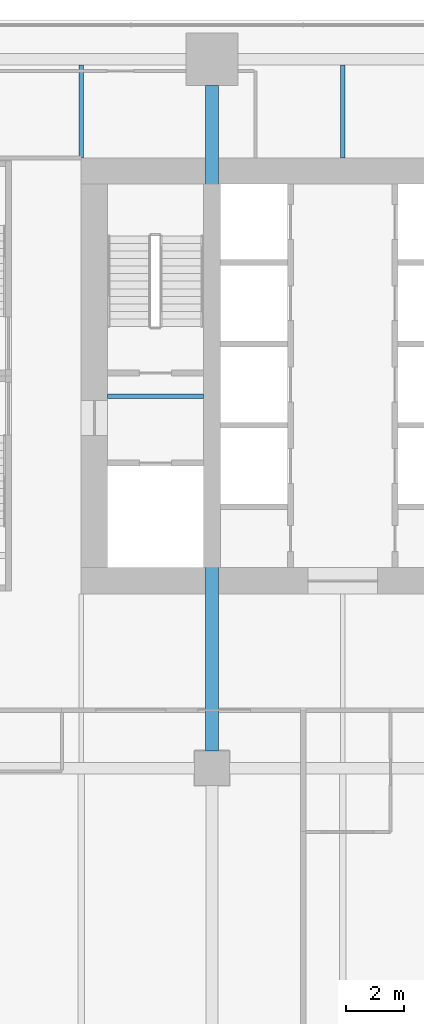
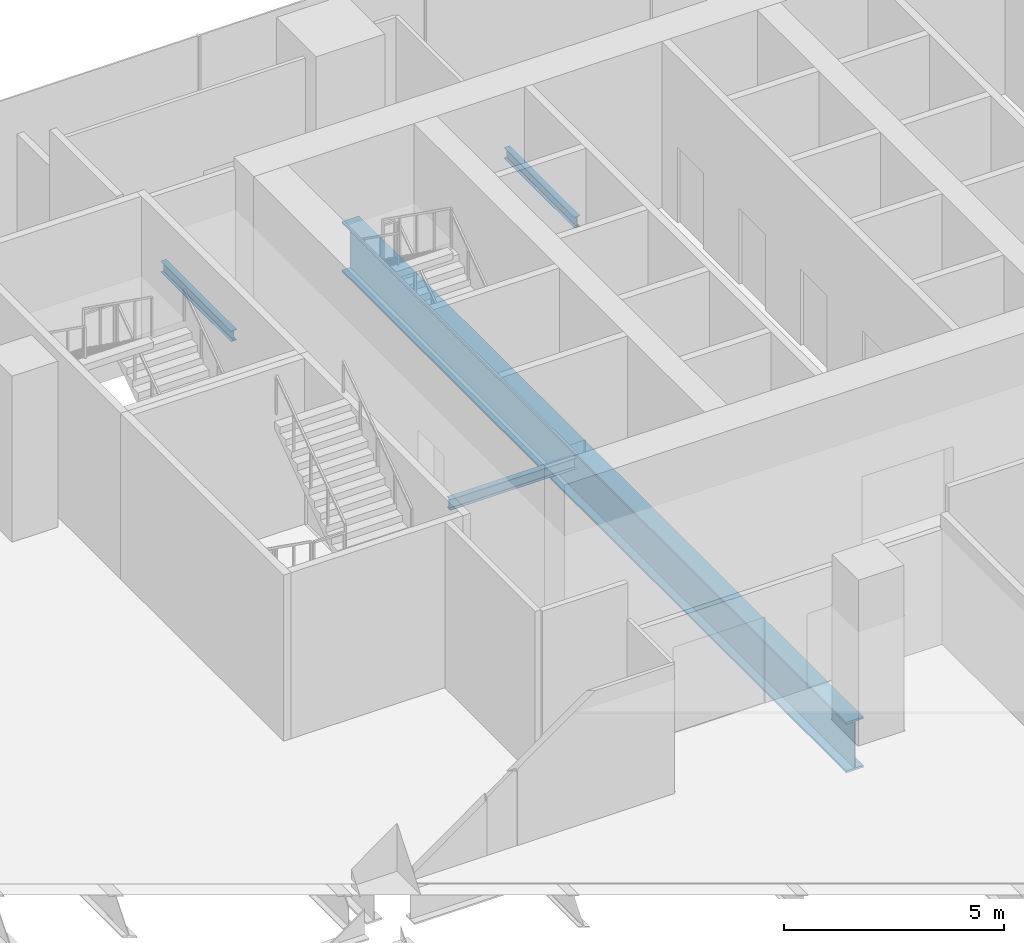
# One storey, part 10 of 28: 4 beams.
"""IFC4 building model written with IfcOpenShell, lengths in metres."""

import ifcopenshell
import ifcopenshell.guid

model = None  # the IFC model being written
_history = None  # IfcOwnerHistory: only IFC2X3 demands one
_inside = {}  # id of a spatial element -> (the spatial element, [elements in it])
_under = {}  # id of a project, library or spatial element -> (it, [spatial elements below it])
_declared = {}  # id of a project -> (the project, [libraries it declares])
_typed = {}  # id of a type object -> (the type object, [elements of that type])
_made_of = {}  # id of a material, layer set ... -> (it, [elements and type objects made of it])


def new_model(schema):
    """Start an empty IFC model of exactly this schema.

    Asked for "IFC4X3", IfcOpenShell would pick the latest addendum, in which some entities
    have other attributes; the version numbers below select the first issue.
    IFC2X3 requires an IfcOwnerHistory on every rooted entity: one is made here for all.
    """
    global model, _history
    if schema == "IFC4X3":
        model = ifcopenshell.file(schema_version=(4, 3, 0, 0))
    else:
        model = ifcopenshell.file(schema=schema)
    _inside.clear()
    _under.clear()
    _declared.clear()
    _typed.clear()
    _made_of.clear()
    _history = None
    if model.schema == "IFC2X3":
        org = make("IfcOrganization", Name="unknown")
        user = make(
            "IfcPersonAndOrganization",
            ThePerson=make("IfcPerson", FamilyName="unknown"),
            TheOrganization=org,
        )
        app = make(
            "IfcApplication",
            ApplicationDeveloper=org,
            Version="unknown",
            ApplicationFullName="unknown",
            ApplicationIdentifier="unknown",
        )
        _history = make(
            "IfcOwnerHistory",
            OwningUser=user,
            OwningApplication=app,
            ChangeAction="ADDED",
            CreationDate=0,
        )
    return model


def make(cls, **values):
    """One entity of the class cls with the attributes given. An attribute that is None is left unset."""
    return model.create_entity(
        cls, **{name: value for name, value in values.items() if value is not None}
    )


def rooted(cls, **values):
    """An entity with a GlobalId (a new one), such as an element, a storey or a relation."""
    return make(cls, GlobalId=ifcopenshell.guid.new(), OwnerHistory=_history, **values)


def si_unit(unit_type, name, prefix=None):
    """IfcSIUnit, for example si_unit("LENGTHUNIT", "METRE", prefix="MILLI")."""
    return make("IfcSIUnit", UnitType=unit_type, Prefix=prefix, Name=name)


def assignment(units):
    """IfcUnitAssignment: the units of a project."""
    return None if units is None else make("IfcUnitAssignment", Units=units)


def point(xyz):
    """IfcCartesianPoint."""
    return None if xyz is None else make("IfcCartesianPoint", Coordinates=xyz)


def direction(xyz):
    """IfcDirection."""
    return None if xyz is None else make("IfcDirection", DirectionRatios=xyz)


def frame(location, z_axis=None, x_axis=None):
    """IfcAxis2Placement3D, a coordinate frame: its origin and axes. An axis left out is left unset."""
    return make(
        "IfcAxis2Placement3D",
        Location=point(location),
        Axis=direction(z_axis),
        RefDirection=direction(x_axis),
    )


def frame_2d(location, x_axis=None):
    """IfcAxis2Placement2D, a coordinate frame in the plane: its origin and x axis."""
    return make(
        "IfcAxis2Placement2D", Location=point(location), RefDirection=direction(x_axis)
    )


def origin():
    """The frame at (0, 0, 0) with its axes left unset."""
    return frame((0.0, 0.0, 0.0))


def origin_2d():
    """The frame at (0, 0) in the plane with its x axis left unset."""
    return frame_2d((0.0, 0.0))


def place(relative_to, where):
    """IfcLocalPlacement: puts the frame where relative to a parent placement (None: the world)."""
    return make(
        "IfcLocalPlacement", PlacementRelTo=relative_to, RelativePlacement=where
    )


def context(
    kind, dimensions, precision=None, world=None, true_north=None, identifier=None
):
    """IfcGeometricRepresentationContext, for example the 3D "Model" context."""
    return make(
        "IfcGeometricRepresentationContext",
        ContextIdentifier=identifier,
        ContextType=kind,
        CoordinateSpaceDimension=dimensions,
        Precision=precision,
        WorldCoordinateSystem=world,
        TrueNorth=true_north,
    )


def subcontext(parent, identifier, kind, view, scale=None):
    """IfcGeometricRepresentationSubContext, for example "Body" below "Model"."""
    return make(
        "IfcGeometricRepresentationSubContext",
        ContextIdentifier=identifier,
        ContextType=kind,
        ParentContext=parent,
        TargetScale=scale,
        TargetView=view,
    )


def project(units=None, contexts=None):
    """IfcProject with its units and contexts."""
    return rooted(
        "IfcProject",
        Name="project",
        RepresentationContexts=contexts,
        UnitsInContext=assignment(units),
    )


def spatial(cls, under=None, at=None, **own):
    """A site, building, storey or space (cls), placed at a placement, below another one or the project."""
    s = rooted(cls, ObjectPlacement=at, **own)
    if under is not None:
        _under.setdefault(under.id(), (under, []))[1].append(s)
    return s


def profile(cls, at=None, kind="AREA", **sizes):
    """A parametric profile (cls). Its sizes go by their IFC names, for example OverallWidth=200.0."""
    return make(cls, ProfileType=kind, Position=at, **sizes)


def i_section(**sizes):
    """IfcIShapeProfileDef."""
    return profile("IfcIShapeProfileDef", **sizes)


def extrude(swept, where, along, depth):
    """IfcExtrudedAreaSolid: the profile swept, set in the frame where, extruded along a direction by depth."""
    return make(
        "IfcExtrudedAreaSolid",
        SweptArea=swept,
        Position=where,
        ExtrudedDirection=direction(along),
        Depth=depth,
    )


def shape(context_of_items, identifier, shape_type, items):
    """IfcShapeRepresentation: the items that make up one representation, for example the "Body"."""
    return make(
        "IfcShapeRepresentation",
        ContextOfItems=context_of_items,
        RepresentationIdentifier=identifier,
        RepresentationType=shape_type,
        Items=items,
    )


def material(Name=None, Category=None):
    """IfcMaterial."""
    return make("IfcMaterial", Name=Name, Category=Category)


def material_profile(
    of_material, cross_section, Name=None, Category=None, Priority=None
):
    """IfcMaterialProfile: a cross section and its material."""
    return make(
        "IfcMaterialProfile",
        Name=Name,
        Material=of_material,
        Profile=cross_section,
        Priority=Priority,
        Category=Category,
    )


def profile_set(profiles, Name=None, composite=None):
    """IfcMaterialProfileSet."""
    return make(
        "IfcMaterialProfileSet",
        Name=Name,
        MaterialProfiles=profiles,
        CompositeProfile=composite,
    )


def made_of(thing, what):
    """Note that an element or type object is made of a material, layer set ...; save() writes the relation."""
    if what is not None:
        _made_of.setdefault(what.id(), (what, []))[1].append(thing)
    return thing


def type_object(cls, material=None, **own):
    """A type object (cls), such as IfcWallType, which elements share."""
    return made_of(rooted(cls, **own), material)


def element(
    cls,
    number,
    at=None,
    inside=None,
    cuts=None,
    type_object=None,
    material=None,
    context=None,
    identifier="Body",
    shape_type=None,
    held_by="IfcProductDefinitionShape",
    body=None,
    shapes=None,
    **own,
):
    """One element of the class cls, such as IfcWall. Its Tag is "e" and its number.

    at: its placement. inside: the storey or other place that contains it. cuts: it is an
    opening in that element (IfcRelVoidsElement). A single representation is given by context,
    identifier, shape_type and body (its items); several are given by shapes. held_by: the class
    of the entity that holds the representations. save() writes the other relations.
    """
    e = rooted(cls, Tag="e%d" % number, ObjectPlacement=at, **own)
    if body is not None:
        shapes = [shape(context, identifier, shape_type, body)]
    if shapes is not None:
        e.Representation = make(held_by, Representations=shapes)
    if inside is not None:
        _inside.setdefault(inside.id(), (inside, []))[1].append(e)
    if cuts is not None:
        rooted(
            "IfcRelVoidsElement", RelatingBuildingElement=cuts, RelatedOpeningElement=e
        )
    if type_object is not None:
        _typed.setdefault(type_object.id(), (type_object, []))[1].append(e)
    return made_of(e, material)


def aggregate(whole, parts):
    """IfcRelAggregates: a whole, such as a stair, and the parts it consists of."""
    return rooted("IfcRelAggregates", RelatingObject=whole, RelatedObjects=parts)


def save(model, path):
    """Write the relations noted so far, then the file.

    IfcRelAggregates (storeys below a building ...), IfcRelContainedInSpatialStructure (elements
    in a storey), IfcRelDefinesByType, IfcRelAssociatesMaterial and IfcRelDeclares: one each for
    every whole, place, type object, material and project.
    """
    for whole, parts in _under.values():
        aggregate(whole, parts)
    for where, things in _inside.values():
        rooted(
            "IfcRelContainedInSpatialStructure",
            RelatedElements=things,
            RelatingStructure=where,
        )
    for kind, things in _typed.values():
        rooted("IfcRelDefinesByType", RelatedObjects=things, RelatingType=kind)
    for what, things in _made_of.values():
        rooted("IfcRelAssociatesMaterial", RelatedObjects=things, RelatingMaterial=what)
    for by, libraries in _declared.values():
        rooted("IfcRelDeclares", RelatingContext=by, RelatedDefinitions=libraries)
    model.write(path)


model = new_model("IFC4")

# Units and contexts
model_context = context("Model", 3, precision=1e-05, world=origin(), true_north=direction((0.0, 1.0)))
body_context = subcontext(model_context, "Body", "Model", "MODEL_VIEW")
ifc_project = project(units=[si_unit("LENGTHUNIT", "METRE"), si_unit("AREAUNIT", "SQUARE_METRE"), si_unit("VOLUMEUNIT", "CUBIC_METRE"), si_unit("PLANEANGLEUNIT", "RADIAN"), si_unit("MASSUNIT", "GRAM", prefix="KILO")], contexts=[model_context])

# Site, building, storey
site_placement = place(None, origin())
site = spatial("IfcSite", under=ifc_project, at=site_placement, CompositionType="ELEMENT")
building_placement = place(site_placement, origin())
building = spatial("IfcBuilding", under=site, at=building_placement, Name="Rattan Terrace Tower", CompositionType="ELEMENT")
storey_placement = place(building_placement, frame((0.0, 0.0, 17.39990234375)))
storey = spatial("IfcBuildingStorey", under=building, at=storey_placement, Name="L03", CompositionType="ELEMENT", Elevation=17.39990234375)

# Beams
ifc_material_1 = material(Name="Steel S355", Category="steel")
ifc_material_profile_1 = material_profile(ifc_material_1, i_section(OverallWidth=0.14990234375, OverallDepth=0.300048828125, WebThickness=0.007080078125, FlangeThickness=0.0107421875, FilletRadius=0.014892578125, at=origin_2d()), Name="IPE 300")
ifc_profile_set_1 = profile_set([ifc_material_profile_1], Name="Steel S355")
beam_type_1 = type_object("IfcBeamType", Name="Frame floor beam IPE 300", PredefinedType="JOIST", material=ifc_profile_set_1)
beam_1_placement = place(storey_placement, frame((-17.10009765625, -0.695068359375, -0.349853515625), z_axis=(1.0, 0.0, 0.0), x_axis=(0.0, 1.0, 0.0)))
element("IfcBeam", 1, at=beam_1_placement, inside=storey, type_object=beam_type_1, Name="bm-L03-001", PredefinedType="JOIST", context=body_context, shape_type="SweptSolid", body=[
    extrude(i_section(OverallWidth=0.14990234375, OverallDepth=0.300048828125, WebThickness=0.007080078125, FlangeThickness=0.0107421875, FilletRadius=0.014892578125, at=origin_2d()), origin(), (0.0, 0.0, 1.0), 3.300048828125),
])
for number, where, z_axis, x_axis, name in (
    (2, (-18.0, 7.5, -0.349853515625), (0.0, 1.0, 0.0), (-1.0, 0.0, 0.0), "bm-L03-045"),
    (3, (-9.0, 7.5, -0.349853515625), (0.0, 1.0, 0.0), (-1.0, 0.0, 0.0), "bm-L03-046"),
):
    element("IfcBeam", number, at=place(storey_placement, frame(where, z_axis=z_axis, x_axis=x_axis)), inside=storey, type_object=beam_type_1, Name=name, PredefinedType="JOIST", context=body_context, shape_type="SweptSolid", body=[
        extrude(i_section(OverallWidth=0.14990234375, OverallDepth=0.300048828125, WebThickness=0.007080078125, FlangeThickness=0.0107421875, FilletRadius=0.014892578125, at=origin_2d()), origin(), (0.0, 0.0, 1.0), 3.199951171875),
    ])
ifc_material_2 = material(Name="Steel S460", Category="steel")
ifc_material_profile_2 = material_profile(ifc_material_2, i_section(OverallWidth=0.449951171875, OverallDepth=1.39990234375, WebThickness=0.02197265625, FlangeThickness=0.054931640625, at=origin_2d()), Name="PG 1400x450-22-55")
ifc_profile_set_2 = profile_set([ifc_material_profile_2], Name="Steel S460")
beam_type_2 = type_object("IfcBeamType", Name="Frame podium girder PG 1400x450-22-55", PredefinedType="USERDEFINED", material=ifc_profile_set_2)
beam_2_placement = place(storey_placement, frame((-13.5, -12.89990234375, -0.89990234375), z_axis=(0.0, 1.0, 0.0), x_axis=(-1.0, 0.0, 0.0)))
element("IfcBeam", 4, at=beam_2_placement, inside=storey, type_object=beam_type_2, Name="gdr-L03-034", ObjectType="PODIUM GIRDER", PredefinedType="USERDEFINED", context=body_context, shape_type="SweptSolid", body=[
    extrude(i_section(OverallWidth=0.449951171875, OverallDepth=1.39990234375, WebThickness=0.02197265625, FlangeThickness=0.054931640625, at=origin_2d()), origin(), (0.0, 0.0, 1.0), 22.89990234375),
])

save(model, "model.ifc")
